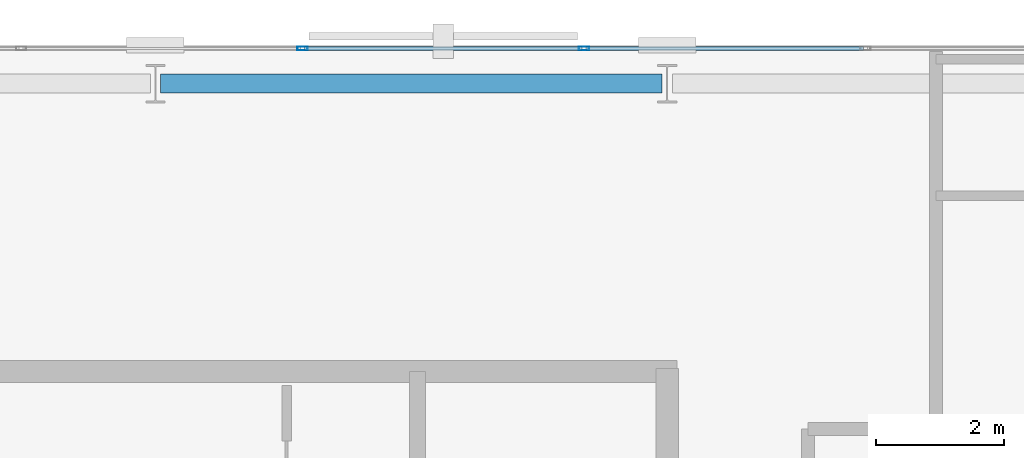
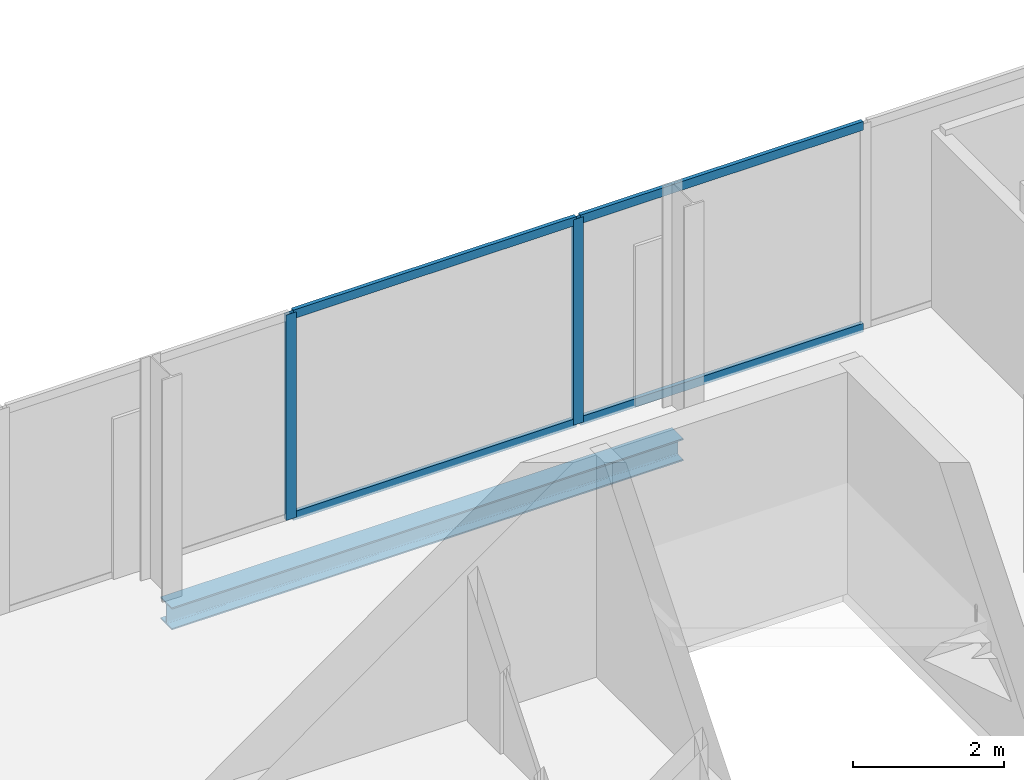
# One storey, part 24 of 33: 6 members, 1 beam, 1 element without a shape of its own.
"""IFC4 building model written with IfcOpenShell, lengths in metres."""

from ifc_helpers import new_model, si_unit, direction, frame, origin, origin_2d, place, context, subcontext, project, spatial, hollow_rectangle, i_section, extrude, material, layer, layer_set, material_profile, profile_set, type_object, element, aggregate, save


model = new_model("IFC4")

# Units and contexts
model_context = context("Model", 3, precision=1e-05, world=origin(), true_north=direction((0.0, 1.0)))
body_context = subcontext(model_context, "Body", "Model", "MODEL_VIEW")
ifc_project = project(units=[si_unit("LENGTHUNIT", "METRE"), si_unit("AREAUNIT", "SQUARE_METRE"), si_unit("VOLUMEUNIT", "CUBIC_METRE"), si_unit("PLANEANGLEUNIT", "RADIAN"), si_unit("MASSUNIT", "GRAM", prefix="KILO")], contexts=[model_context])

# Site, building, storey
site_placement = place(None, origin())
site = spatial("IfcSite", under=ifc_project, at=site_placement, CompositionType="ELEMENT")
building_placement = place(site_placement, origin())
building = spatial("IfcBuilding", under=site, at=building_placement, Name="Catumbela Crestline Tower", CompositionType="ELEMENT")
storey_placement = place(building_placement, frame((0.0, 0.0, 118.8)))
storey = spatial("IfcBuildingStorey", under=building, at=storey_placement, Name="L30", CompositionType="ELEMENT", Elevation=118.8)

# Curtain wall, members
ifc_material_1 = material(Name="Aluminium alloy AW-6060-T66", Category="aluminium")
ifc_layer = layer(ifc_material_1, 0.18, Name="Aluminium alloy AW-6060-T66")
ifc_layer_set = layer_set([ifc_layer], Name="Aluminium alloy AW-6060-T66")
curtain_wall_type = type_object("IfcCurtainWallType", Name="CWU-Z2", PredefinedType="USERDEFINED", material=ifc_layer_set)
curtain_wall_placement = place(storey_placement, origin())
curtain_wall = element("IfcCurtainWall", 1, at=curtain_wall_placement, inside=storey, type_object=curtain_wall_type, Name="L30 Unitised Curtain Wall CW-L30-E7S1", ObjectType="UNITISED", PredefinedType="USERDEFINED")
ifc_material_profile_1 = material_profile(ifc_material_1, hollow_rectangle(XDim=0.06, YDim=0.16, WallThickness=0.004, at=origin_2d()), Name="ALU 160x60x4")
ifc_profile_set_1 = profile_set([ifc_material_profile_1], Name="Aluminium alloy AW-6060-T66")
member_type_1 = type_object("IfcMemberType", Name="MUL-160X60", PredefinedType="MULLION", material=ifc_profile_set_1)
member_1_placement = place(storey_placement, frame((38.7, 47.95, 0.0), z_axis=(0.0, 0.0, 1.0), x_axis=(0.0, -1.0, 0.0)))
member_1 = element("IfcMember", 2, at=member_1_placement, type_object=member_type_1, Name="CWU-Z2 mullion 3", PredefinedType="MULLION", context=body_context, shape_type="SweptSolid", body=[
    extrude(hollow_rectangle(XDim=0.06, YDim=0.16, WallThickness=0.004, at=origin_2d()), origin(), (0.0, 0.0, 1.0), 3.33),
])
member_2_placement = place(storey_placement, frame((34.3, 47.95, 0.0), z_axis=(0.0, 0.0, 1.0), x_axis=(0.0, -1.0, 0.0)))
member_2 = element("IfcMember", 3, at=member_2_placement, type_object=member_type_1, Name="CWU-Z2 mullion 4", PredefinedType="MULLION", context=body_context, shape_type="SweptSolid", body=[
    extrude(hollow_rectangle(XDim=0.06, YDim=0.16, WallThickness=0.004, at=origin_2d()), origin(), (0.0, 0.0, 1.0), 3.33),
])

# Beam
ifc_material_2 = material(Name="Structural steel S355J2", Category="steel")
ifc_material_profile_2 = material_profile(ifc_material_2, i_section(OverallWidth=0.3, OverallDepth=0.36, WebThickness=0.0125, FlangeThickness=0.0225, FilletRadius=0.027, at=origin_2d()), Name="HEB 360")
ifc_profile_set_2 = profile_set([ifc_material_profile_2], Name="Structural steel S355J2")
beam_type = type_object("IfcBeamType", Name="BS-HEB360", PredefinedType="SPANDREL", material=ifc_profile_set_2)
beam_placement = place(storey_placement, frame((32.08, 47.4, -0.44), z_axis=(1.0, 0.0, 0.0), x_axis=(0.0, 1.0, 0.0)))
element("IfcBeam", 4, at=beam_placement, inside=storey, type_object=beam_type, Name="L30 Spandrel SP-L30-NF20", PredefinedType="SPANDREL", context=body_context, shape_type="SweptSolid", body=[
    extrude(i_section(OverallWidth=0.3, OverallDepth=0.36, WebThickness=0.0125, FlangeThickness=0.0225, FilletRadius=0.027, at=origin_2d()), origin(), (0.0, 0.0, 1.0), 7.84),
])

# Member
ifc_material_profile_3 = material_profile(ifc_material_1, hollow_rectangle(XDim=0.06, YDim=0.14, WallThickness=0.004, at=origin_2d()), Name="ALU 140x60x4")
ifc_profile_set_3 = profile_set([ifc_material_profile_3], Name="Aluminium alloy AW-6060-T66")
member_type_2 = type_object("IfcMemberType", Name="TRN-140X60", PredefinedType="USERDEFINED", material=ifc_profile_set_3)
member_3_placement = place(storey_placement, frame((43.0675, 47.95, 0.03), z_axis=(-1.0, 0.0, 0.0), x_axis=(0.0, -1.0, 0.0)))
member_3 = element("IfcMember", 5, at=member_3_placement, type_object=member_type_2, Name="CWU-Z2 transom 2.1", ObjectType="TRANSOM", PredefinedType="USERDEFINED", context=body_context, shape_type="SweptSolid", body=[
    extrude(hollow_rectangle(XDim=0.06, YDim=0.14, WallThickness=0.004, at=origin_2d()), origin(), (0.0, 0.0, 1.0), 4.335),
])

member_4_placement = place(storey_placement, frame((43.0675, 47.95, 3.3), z_axis=(-1.0, 0.0, 0.0), x_axis=(0.0, -1.0, 0.0)))
member_4 = element("IfcMember", 6, at=member_4_placement, type_object=member_type_2, Name="CWU-Z2 transom 2.2", ObjectType="TRANSOM", PredefinedType="USERDEFINED", context=body_context, shape_type="SweptSolid", body=[
    extrude(hollow_rectangle(XDim=0.06, YDim=0.14, WallThickness=0.004, at=origin_2d()), origin(), (0.0, 0.0, 1.0), 4.335),
])

member_5_placement = place(storey_placement, frame((38.6675, 47.95, 0.03), z_axis=(-1.0, 0.0, 0.0), x_axis=(0.0, -1.0, 0.0)))
member_5 = element("IfcMember", 7, at=member_5_placement, type_object=member_type_2, Name="CWU-Z2 transom 3.1", ObjectType="TRANSOM", PredefinedType="USERDEFINED", context=body_context, shape_type="SweptSolid", body=[
    extrude(hollow_rectangle(XDim=0.06, YDim=0.14, WallThickness=0.004, at=origin_2d()), origin(), (0.0, 0.0, 1.0), 4.335),
])

member_6_placement = place(storey_placement, frame((38.6675, 47.95, 3.3), z_axis=(-1.0, 0.0, 0.0), x_axis=(0.0, -1.0, 0.0)))
member_6 = element("IfcMember", 8, at=member_6_placement, type_object=member_type_2, Name="CWU-Z2 transom 3.2", ObjectType="TRANSOM", PredefinedType="USERDEFINED", context=body_context, shape_type="SweptSolid", body=[
    extrude(hollow_rectangle(XDim=0.06, YDim=0.14, WallThickness=0.004, at=origin_2d()), origin(), (0.0, 0.0, 1.0), 4.335),
])

aggregate(curtain_wall, [member_1, member_2, member_3, member_4, member_5, member_6])

save(model, "model.ifc")
